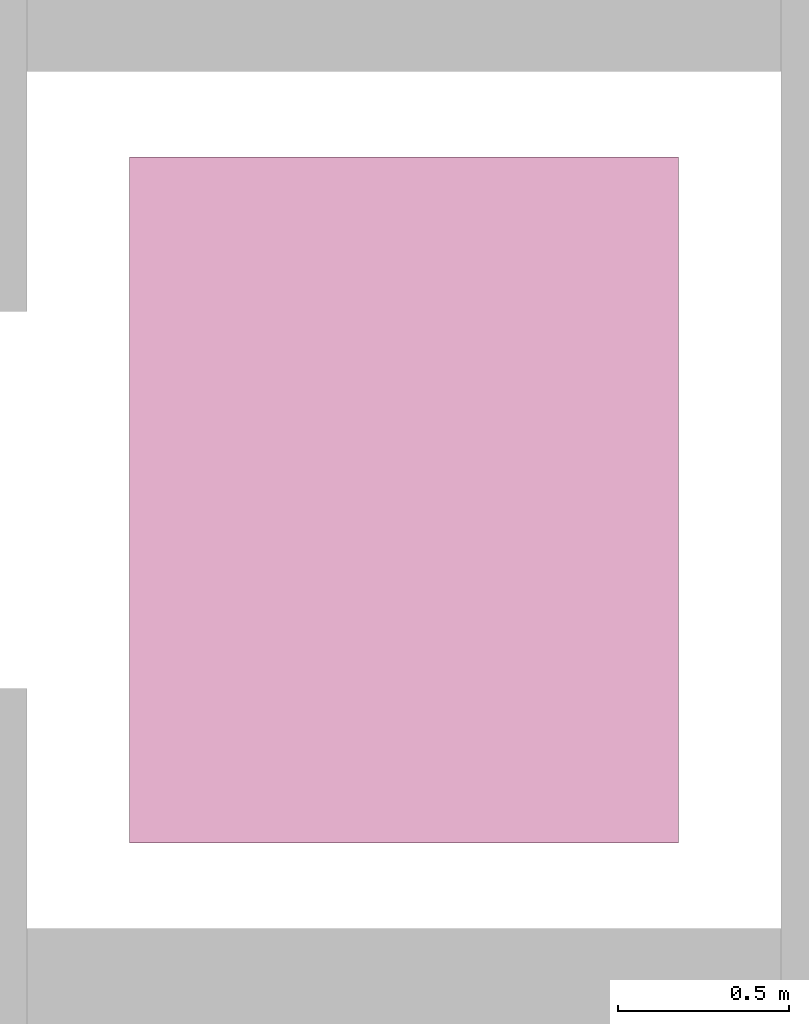
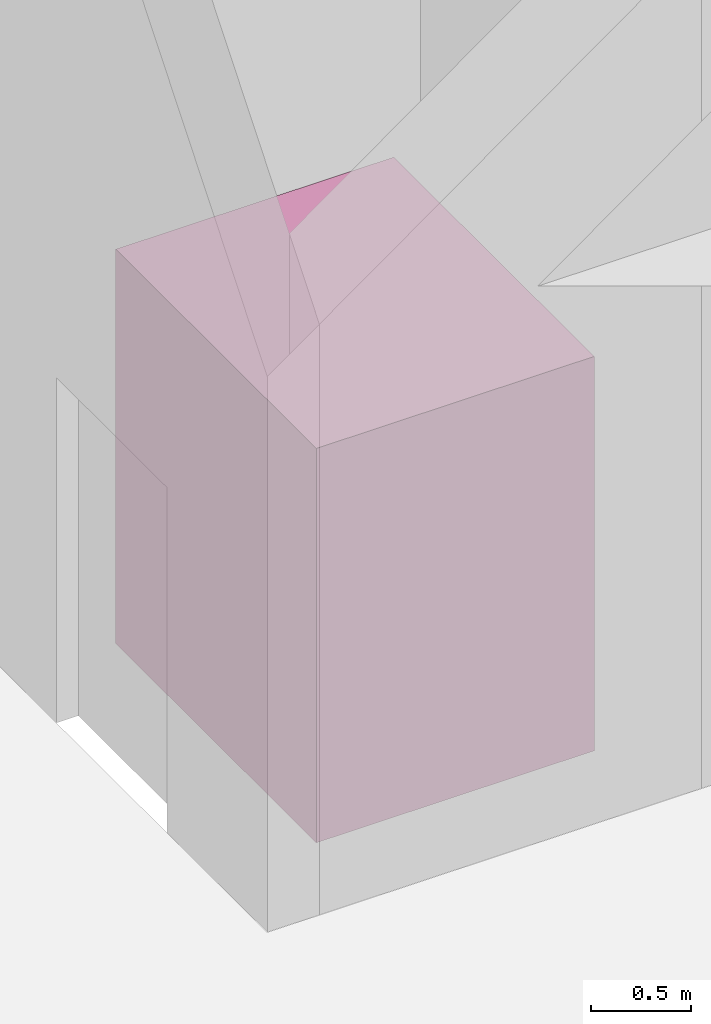
# One storey, part 29 of 29: 1 transport element.
"""IFC4 building model written with IfcOpenShell, lengths in metres."""

from ifc_helpers import new_model, si_unit, direction, frame, origin, origin_2d, place, context, subcontext, project, spatial, rectangle, extrude, material, type_object, element, save


model = new_model("IFC4")

# Units and contexts
model_context = context("Model", 3, precision=1e-05, world=origin(), true_north=direction((0.0, 1.0)))
body_context = subcontext(model_context, "Body", "Model", "MODEL_VIEW")
ifc_project = project(units=[si_unit("LENGTHUNIT", "METRE"), si_unit("AREAUNIT", "SQUARE_METRE"), si_unit("VOLUMEUNIT", "CUBIC_METRE"), si_unit("PLANEANGLEUNIT", "RADIAN"), si_unit("MASSUNIT", "GRAM", prefix="KILO")], contexts=[model_context])

# Site, building, storey
site_placement = place(None, origin())
site = spatial("IfcSite", under=ifc_project, at=site_placement, CompositionType="ELEMENT")
building_placement = place(site_placement, origin())
building = spatial("IfcBuilding", under=site, at=building_placement, Name="Elmora Arch Market Hall", CompositionType="ELEMENT")
storey_placement = place(building_placement, frame((0.0, 0.0, -5.0)))
storey = spatial("IfcBuildingStorey", under=building, at=storey_placement, Name="LG", CompositionType="ELEMENT", Elevation=-5.0)

# Transport element
ifc_material = material(Name="Stainless steel ASTM A240 Type 304", Category="steel")
transport_element_type = type_object("IfcTransportElementType", Name="Lift car 2000 x 1600 1600 kg", PredefinedType="ELEVATOR", material=ifc_material)
transport_element_placement = place(storey_placement, frame((38.60009765625, 47.25, 0.0), z_axis=(0.0, 0.0, 1.0), x_axis=(1.0, 0.0, 0.0)))
element("IfcTransportElement", 1, at=transport_element_placement, inside=storey, type_object=transport_element_type, Name="Lift ML1", PredefinedType="ELEVATOR", context=body_context, shape_type="SweptSolid", body=[
    extrude(rectangle(XDim=1.60009765625, YDim=2.0, at=origin_2d()), origin(), (0.0, 0.0, 1.0), 2.39990234375),
])

save(model, "model.ifc")
